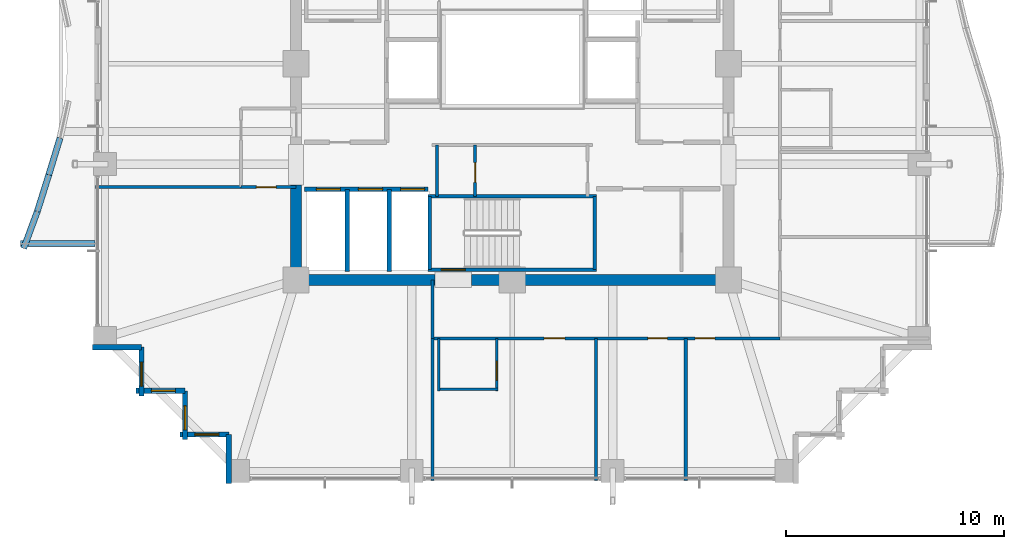
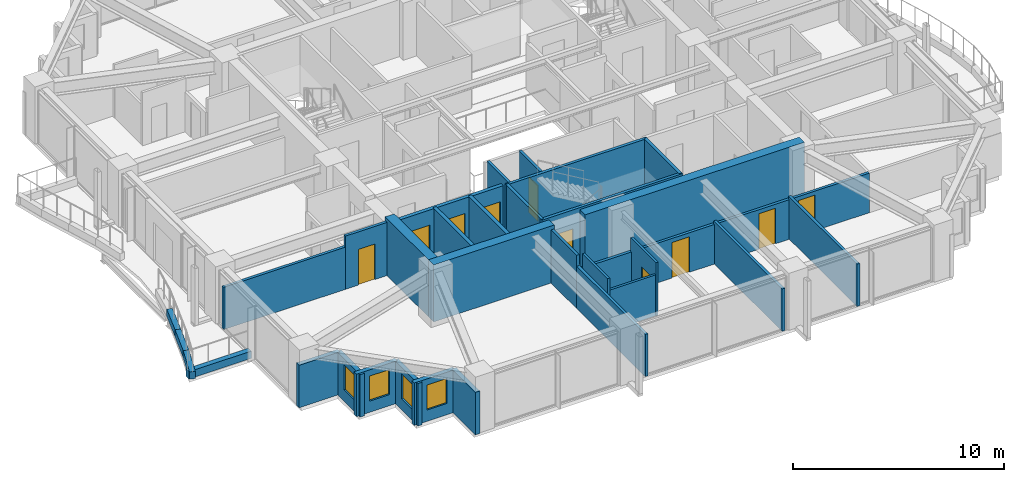
# One storey, part 29 of 35: 32 walls, 10 doors, 4 windows, 14 openings.
"""IFC4 building model written with IfcOpenShell, lengths in metres."""

from ifc_helpers import new_model, si_unit, direction, frame, frame_2d, origin, place, context, subcontext, project, spatial, rectangle, extrude, material, layer, layer_set, type_object, element, fill, save


model = new_model("IFC4")

# Units and contexts
model_context = context("Model", 3, precision=1e-05, world=origin(), true_north=direction((0.0, 1.0)))
body_context = subcontext(model_context, "Body", "Model", "MODEL_VIEW")
ifc_project = project(units=[si_unit("LENGTHUNIT", "METRE"), si_unit("AREAUNIT", "SQUARE_METRE"), si_unit("VOLUMEUNIT", "CUBIC_METRE"), si_unit("PLANEANGLEUNIT", "RADIAN"), si_unit("MASSUNIT", "GRAM", prefix="KILO")], contexts=[model_context])

# Site, building, storey
site_placement = place(None, origin())
site = spatial("IfcSite", under=ifc_project, at=site_placement, CompositionType="ELEMENT")
building_placement = place(site_placement, origin())
building = spatial("IfcBuilding", under=site, at=building_placement, Name="Kolvaren Belvedere", CompositionType="ELEMENT")
storey_placement = place(building_placement, frame((0.0, 0.0, 115.10009765625)))
storey = spatial("IfcBuildingStorey", under=building, at=storey_placement, Name="L33", CompositionType="ELEMENT", Elevation=115.10009765625)

# Walls
ifc_material_1 = material(Name="Concrete C50/60", Category="concrete")
ifc_layer_1 = layer(ifc_material_1, 0.5)
ifc_layer_set_1 = layer_set([ifc_layer_1], Name="Concrete C50/60")
wall_type_1 = type_object("IfcWallType", Name="CW-CORE-500", PredefinedType="SHEAR", material=ifc_layer_set_1)
wall_1_placement = place(storey_placement, frame((10.14990234375, -9.89990234375, 0.0), z_axis=(0.0, 0.0, 1.0), x_axis=(-1.0, 0.0, 0.0)))
element("IfcWall", 1, at=wall_1_placement, inside=storey, type_object=wall_type_1, Name="L33 South Core Shear Wall 1", PredefinedType="SHEAR", context=body_context, shape_type="SweptSolid", body=[
    extrude(rectangle(XDim=12.010009765625, YDim=0.5, at=frame_2d((6.0048828125, 0.0))), origin(), (0.0, 0.0, 1.0), 3.2998046875),
])
wall_2_placement = place(storey_placement, frame((-3.5400390625, -9.89990234375, 0.0), z_axis=(0.0, 0.0, 1.0), x_axis=(-1.0, 0.0, 0.0)))
element("IfcWall", 2, at=wall_2_placement, inside=storey, type_object=wall_type_1, Name="L33 South Core Shear Wall 2", PredefinedType="SHEAR", context=body_context, shape_type="SweptSolid", body=[
    extrude(rectangle(XDim=6.60986328125, YDim=0.5, at=frame_2d((3.304931640625, 0.0))), origin(), (0.0, 0.0, 1.0), 3.2998046875),
])
wall_3_placement = place(storey_placement, frame((-9.89990234375, -9.64990234375, 0.0), z_axis=(0.0, 0.0, 1.0), x_axis=(0.0, 1.0, 0.0)))
element("IfcWall", 3, at=wall_3_placement, inside=storey, type_object=wall_type_1, Name="L33 West Core Shear Wall 1", PredefinedType="SHEAR", context=body_context, shape_type="SweptSolid", body=[
    extrude(rectangle(XDim=4.099853515625, YDim=0.5, at=frame_2d((2.0498046875, 0.0))), origin(), (0.0, 0.0, 1.0), 3.2998046875),
])

# Wall, opening, door
ifc_material_2 = material(Name="Concrete C50/60", Category="concrete")
ifc_layer_2 = layer(ifc_material_2, 0.159912109375)
ifc_layer_set_2 = layer_set([ifc_layer_2], Name="Concrete C50/60")
wall_type_2 = type_object("IfcWallType", Name="CW-STAIR-160", PredefinedType="SHEAR", material=ifc_layer_set_2)
wall_4_placement = place(storey_placement, frame((3.860107421875, -9.429931640625, 0.0), z_axis=(0.0, 0.0, 1.0), x_axis=(-1.0, 0.0, 0.0)))
wall_4 = element("IfcWall", 4, at=wall_4_placement, inside=storey, type_object=wall_type_2, Name="L33 Stair ST-3 South Shear Wall", PredefinedType="SHEAR", context=body_context, shape_type="SweptSolid", body=[
    extrude(rectangle(XDim=7.72021484375, YDim=0.159912109375, at=frame_2d((3.860107421875, 0.0))), origin(), (0.0, 0.0, 1.0), 3.2998046875),
])
opening_1_placement = place(wall_4_placement, frame((6.010009765625, 0.0, 0.0)))
opening_1 = element("IfcOpeningElement", 5, at=opening_1_placement, cuts=wall_4, Name="Opening D-FD90", PredefinedType="OPENING", context=body_context, shape_type="SweptSolid", body=[
    extrude(rectangle(XDim=1.10009765625, YDim=2.199951171875, at=frame_2d((0.550048828125, 1.10009765625))), frame((0.0, 0.08984375, 0.0), z_axis=(0.0, -1.0, 0.0), x_axis=(1.0, 0.0, 0.0)), (0.0, 0.0, 1.0), 0.179931640625),
])
ifc_material_3 = material(Name="Painted hollow stainless steel", Category="steel")
door_type_1 = type_object("IfcDoorType", Name="DR-FD90-1100", OperationType="NOTDEFINED", PredefinedType="DOOR", material=ifc_material_3)
door_1_placement = place(opening_1_placement, origin())
door_1 = element("IfcDoor", 6, at=door_1_placement, inside=storey, type_object=door_type_1, Name="L33 Stair ST-3 Exit Door", OperationType="SINGLE_SWING_RIGHT", OverallHeight=2.199951171875, OverallWidth=1.10009765625, PredefinedType="DOOR", context=body_context, shape_type="SweptSolid", body=[
    extrude(rectangle(XDim=1.10009765625, YDim=2.199951171875, at=frame_2d((0.550048828125, 1.10009765625))), frame((0.0, 0.02490234375, 0.0), z_axis=(0.0, -1.0, 0.0), x_axis=(1.0, 0.0, 0.0)), (0.0, 0.0, 1.0), 0.050048828125),
])
fill(opening_1, door_1)

# Walls
wall_5_placement = place(storey_placement, frame((-3.860107421875, -6.080078125, 0.0), z_axis=(0.0, 0.0, 1.0), x_axis=(1.0, 0.0, 0.0)))
element("IfcWall", 7, at=wall_5_placement, inside=storey, type_object=wall_type_2, Name="L33 Stair ST-3 North Shear Wall", PredefinedType="SHEAR", context=body_context, shape_type="SweptSolid", body=[
    extrude(rectangle(XDim=7.72021484375, YDim=0.159912109375, at=frame_2d((3.860107421875, 0.0))), origin(), (0.0, 0.0, 1.0), 3.2998046875),
])
for number, where, z_axis, x_axis, name in (
    (8, (-3.780029296875, -9.429931640625, 0.0), (0.0, 0.0, 1.0), (0.0, 1.0, 0.0), "L33 Stair ST-3 West Shear Wall"),
    (9, (3.780029296875, -9.429931640625, 0.0), (0.0, 0.0, 1.0), (0.0, 1.0, 0.0), "L33 Stair ST-3 East Shear Wall"),
):
    element("IfcWall", number, at=place(storey_placement, frame(where, z_axis=z_axis, x_axis=x_axis)), inside=storey, type_object=wall_type_2, Name=name, PredefinedType="SHEAR", context=body_context, shape_type="SweptSolid", body=[
        extrude(rectangle(XDim=3.349853515625, YDim=0.159912109375, at=frame_2d((1.6748046875, 0.0))), origin(), (0.0, 0.0, 1.0), 3.2998046875),
    ])

# Wall, openings, doors
ifc_material_4 = material(Name="Gypsum fire-rated partition assembly", Category="gypsum")
ifc_layer_3 = layer(ifc_material_4, 0.14990234375)
ifc_layer_set_3 = layer_set([ifc_layer_3], Name="Gypsum fire-rated partition assembly")
wall_type_3 = type_object("IfcWallType", Name="WL-CORR-150", PredefinedType="PARTITIONING", material=ifc_layer_set_3)
wall_6_placement = place(storey_placement, frame((-3.64990234375, -12.580078125, 0.0), z_axis=(0.0, 0.0, 1.0), x_axis=(1.0, 0.0, 0.0)))
wall_6 = element("IfcWall", 10, at=wall_6_placement, inside=storey, type_object=wall_type_3, Name="L33 South-East Corridor Wall", PredefinedType="PARTITIONING", context=body_context, shape_type="SweptSolid", body=[
    extrude(rectangle(XDim=15.909912109375, YDim=0.14990234375, at=frame_2d((7.955078125, 0.0))), origin(), (0.0, 0.0, 1.0), 2.2919921875),
])
opening_2_placement = place(wall_6_placement, frame((5.10888671875, 0.0, 0.0)))
opening_2 = element("IfcOpeningElement", 11, at=opening_2_placement, cuts=wall_6, Name="Opening D-FD60", PredefinedType="OPENING", context=body_context, shape_type="SweptSolid", body=[
    extrude(rectangle(XDim=0.949951171875, YDim=2.06005859375, at=frame_2d((0.47509765625, 1.030029296875))), frame((0.0, 0.0849609375, 0.0), z_axis=(0.0, -1.0, 0.0), x_axis=(1.0, 0.0, 0.0)), (0.0, 0.0, 1.0), 0.169921875),
])
opening_3_placement = place(wall_6_placement, frame((9.8583984375, 0.0, 0.0)))
opening_3 = element("IfcOpeningElement", 12, at=opening_3_placement, cuts=wall_6, Name="Opening D-INT90", PredefinedType="OPENING", context=body_context, shape_type="SweptSolid", body=[
    extrude(rectangle(XDim=0.89990234375, YDim=2.06005859375, at=frame_2d((0.449951171875, 1.030029296875))), frame((0.0, 0.0849609375, 0.0), z_axis=(0.0, -1.0, 0.0), x_axis=(1.0, 0.0, 0.0)), (0.0, 0.0, 1.0), 0.169921875),
])
opening_4_placement = place(wall_6_placement, frame((12.027587890625, 0.0, 0.0)))
opening_4 = element("IfcOpeningElement", 13, at=opening_4_placement, cuts=wall_6, Name="Opening D-INT90", PredefinedType="OPENING", context=body_context, shape_type="SweptSolid", body=[
    extrude(rectangle(XDim=0.89990234375, YDim=2.06005859375, at=frame_2d((0.449951171875, 1.030029296875))), frame((0.0, 0.0849609375, 0.0), z_axis=(0.0, -1.0, 0.0), x_axis=(1.0, 0.0, 0.0)), (0.0, 0.0, 1.0), 0.169921875),
])
ifc_material_5 = material(Name="Acoustic white-oak fire door leaf", Category="timber")
door_type_2 = type_object("IfcDoorType", Name="DR-FD60-950", OperationType="NOTDEFINED", PredefinedType="DOOR", material=ifc_material_5)
door_2_placement = place(opening_2_placement, origin())
door_2 = element("IfcDoor", 14, at=door_2_placement, inside=storey, type_object=door_type_2, Name="L33 King Guest Room 3312 Entry Door", OperationType="SINGLE_SWING_LEFT", OverallHeight=2.06005859375, OverallWidth=0.949951171875, PredefinedType="DOOR", context=body_context, shape_type="SweptSolid", body=[
    extrude(rectangle(XDim=0.949951171875, YDim=2.06005859375, at=frame_2d((0.47509765625, 1.030029296875))), frame((0.0, 0.02490234375, 0.0), z_axis=(0.0, -1.0, 0.0), x_axis=(1.0, 0.0, 0.0)), (0.0, 0.0, 1.0), 0.050048828125),
])
fill(opening_2, door_2)
ifc_material_6 = material(Name="Stained Pacific white oak", Category="timber")
door_type_3 = type_object("IfcDoorType", Name="DR-INT-900", OperationType="NOTDEFINED", PredefinedType="DOOR", material=ifc_material_6)
door_3_placement = place(opening_3_placement, origin())
door_3 = element("IfcDoor", 15, at=door_3_placement, inside=storey, type_object=door_type_3, Name="L33 Lounge 3313 Door", OperationType="SINGLE_SWING_RIGHT", OverallHeight=2.06005859375, OverallWidth=0.89990234375, PredefinedType="DOOR", context=body_context, shape_type="SweptSolid", body=[
    extrude(rectangle(XDim=0.89990234375, YDim=2.06005859375, at=frame_2d((0.449951171875, 1.030029296875))), frame((0.0, 0.02490234375, 0.0), z_axis=(0.0, -1.0, 0.0), x_axis=(1.0, 0.0, 0.0)), (0.0, 0.0, 1.0), 0.050048828125),
])
fill(opening_3, door_3)
door_4_placement = place(opening_4_placement, origin())
door_4 = element("IfcDoor", 16, at=door_4_placement, inside=storey, type_object=door_type_3, Name="L33 Lounge 3314 Door", OperationType="SINGLE_SWING_LEFT", OverallHeight=2.06005859375, OverallWidth=0.89990234375, PredefinedType="DOOR", context=body_context, shape_type="SweptSolid", body=[
    extrude(rectangle(XDim=0.89990234375, YDim=2.06005859375, at=frame_2d((0.449951171875, 1.030029296875))), frame((0.0, 0.02490234375, 0.0), z_axis=(0.0, -1.0, 0.0), x_axis=(1.0, 0.0, 0.0)), (0.0, 0.0, 1.0), 0.050048828125),
])
fill(opening_4, door_4)

# Wall
wall_7_placement = place(storey_placement, frame((-3.64990234375, -12.580078125, 0.0), z_axis=(0.0, 0.0, 1.0), x_axis=(0.0, 1.0, 0.0)))
element("IfcWall", 17, at=wall_7_placement, inside=storey, type_object=wall_type_3, Name="L33 South Spur West Closure Wall", PredefinedType="PARTITIONING", context=body_context, shape_type="SweptSolid", body=[
    extrude(rectangle(XDim=2.68017578125, YDim=0.14990234375, at=frame_2d((1.340087890625, 0.0))), origin(), (0.0, 0.0, 1.0), 3.079833984375),
])

# Wall, opening, door
wall_8_placement = place(storey_placement, frame((-12.419921875, -5.64990234375, 0.0), z_axis=(0.0, 0.0, 1.0), x_axis=(1.0, 0.0, 0.0)))
wall_8 = element("IfcWall", 18, at=wall_8_placement, inside=storey, type_object=wall_type_3, Name="L33 West Pocket South Closure Wall", PredefinedType="PARTITIONING", context=body_context, shape_type="SweptSolid", body=[
    extrude(rectangle(XDim=2.52001953125, YDim=0.14990234375, at=frame_2d((1.260009765625, 0.0))), origin(), (0.0, 0.0, 1.0), 3.079833984375),
])
opening_5_placement = place(wall_8_placement, frame((0.705078125, 0.0, 0.0)))
opening_5 = element("IfcOpeningElement", 19, at=opening_5_placement, cuts=wall_8, Name="Opening D-INT90", PredefinedType="OPENING", context=body_context, shape_type="SweptSolid", body=[
    extrude(rectangle(XDim=0.89990234375, YDim=2.06005859375, at=frame_2d((0.449951171875, 1.030029296875))), frame((0.0, 0.0849609375, 0.0), z_axis=(0.0, -1.0, 0.0), x_axis=(1.0, 0.0, 0.0)), (0.0, 0.0, 1.0), 0.169921875),
])
door_5_placement = place(opening_5_placement, origin())
door_5 = element("IfcDoor", 20, at=door_5_placement, inside=storey, type_object=door_type_3, Name="L33 Lounge 3311 Door", OperationType="SINGLE_SWING_LEFT", OverallHeight=2.06005859375, OverallWidth=0.89990234375, PredefinedType="DOOR", context=body_context, shape_type="SweptSolid", body=[
    extrude(rectangle(XDim=0.89990234375, YDim=2.06005859375, at=frame_2d((0.449951171875, 1.030029296875))), frame((0.0, 0.02490234375, 0.0), z_axis=(0.0, -1.0, 0.0), x_axis=(1.0, 0.0, 0.0)), (0.0, 0.0, 1.0), 0.050048828125),
])
fill(opening_5, door_5)

# Wall
ifc_material_7 = material(Name="Insulated pale-metal facade wall assembly", Category="aluminium")
ifc_layer_4 = layer(ifc_material_7, 0.239990234375)
ifc_layer_set_4 = layer_set([ifc_layer_4], Name="Insulated pale-metal facade wall assembly")
wall_type_4 = type_object("IfcWallType", Name="WL-EXT-240", PredefinedType="STANDARD", material=ifc_layer_set_4)
wall_9_placement = place(storey_placement, frame((-16.97998046875, -12.97998046875, 0.0), z_axis=(0.0, 0.0, 1.0), x_axis=(-1.0, 0.0, 0.0)))
element("IfcWall", 21, at=wall_9_placement, inside=storey, type_object=wall_type_4, Name="L33 Serrated Corner Facade Wall 23", PredefinedType="STANDARD", context=body_context, shape_type="SweptSolid", body=[
    extrude(rectangle(XDim=2.239990234375, YDim=0.239990234375, at=frame_2d((1.1201171875, 0.0))), origin(), (0.0, 0.0, 1.0), 2.458984375),
])

# Wall, opening, window
wall_10_placement = place(storey_placement, frame((-16.97998046875, -15.219970703125, 0.0), z_axis=(0.0, 0.0, 1.0), x_axis=(0.0, 1.0, 0.0)))
wall_10 = element("IfcWall", 22, at=wall_10_placement, inside=storey, type_object=wall_type_4, Name="L33 Serrated Corner Facade Wall 24", PredefinedType="STANDARD", context=body_context, shape_type="SweptSolid", body=[
    extrude(rectangle(XDim=2.239990234375, YDim=0.239990234375, at=frame_2d((1.1201171875, 0.0))), origin(), (0.0, 0.0, 1.0), 2.458984375),
])
opening_6_placement = place(wall_10_placement, frame((0.449951171875, 0.0, 0.64990234375)))
opening_6 = element("IfcOpeningElement", 23, at=opening_6_placement, cuts=wall_10, Name="Opening W-1100", PredefinedType="OPENING", context=body_context, shape_type="SweptSolid", body=[
    extrude(rectangle(XDim=1.10009765625, YDim=1.449951171875, at=frame_2d((0.550048828125, 0.72509765625))), frame((0.0, 0.1298828125, 0.0), z_axis=(0.0, -1.0, 0.0), x_axis=(1.0, 0.0, 0.0)), (0.0, 0.0, 1.0), 0.260009765625),
])
ifc_material_8 = material(Name="Low-iron triple insulated glass", Category="glass")
window_type = type_object("IfcWindowType", Name="WN-CORN-1100", PartitioningType="SINGLE_PANEL", PredefinedType="WINDOW", material=ifc_material_8)
window_1_placement = place(opening_6_placement, origin())
window_1 = element("IfcWindow", 24, at=window_1_placement, inside=storey, type_object=window_type, Name="L33 Serrated Corner Vision Window 24", OverallHeight=1.449951171875, OverallWidth=1.10009765625, PartitioningType="SINGLE_PANEL", PredefinedType="WINDOW", context=body_context, shape_type="SweptSolid", body=[
    extrude(rectangle(XDim=1.10009765625, YDim=1.449951171875, at=frame_2d((0.550048828125, 0.72509765625))), frame((0.0, 0.030029296875, 0.0), z_axis=(0.0, -1.0, 0.0), x_axis=(1.0, 0.0, 0.0)), (0.0, 0.0, 1.0), 0.06005859375),
])
fill(opening_6, window_1)

wall_11_placement = place(storey_placement, frame((-14.97998046875, -14.97998046875, 0.0), z_axis=(0.0, 0.0, 1.0), x_axis=(-1.0, 0.0, 0.0)))
wall_11 = element("IfcWall", 25, at=wall_11_placement, inside=storey, type_object=wall_type_4, Name="L33 Serrated Corner Facade Wall 25", PredefinedType="STANDARD", context=body_context, shape_type="SweptSolid", body=[
    extrude(rectangle(XDim=2.239990234375, YDim=0.239990234375, at=frame_2d((1.1201171875, 0.0))), origin(), (0.0, 0.0, 1.0), 2.458984375),
])
opening_7_placement = place(wall_11_placement, frame((0.449951171875, 0.0, 0.64990234375)))
opening_7 = element("IfcOpeningElement", 26, at=opening_7_placement, cuts=wall_11, Name="Opening W-1100", PredefinedType="OPENING", context=body_context, shape_type="SweptSolid", body=[
    extrude(rectangle(XDim=1.10009765625, YDim=1.449951171875, at=frame_2d((0.550048828125, 0.72509765625))), frame((0.0, 0.1298828125, 0.0), z_axis=(0.0, -1.0, 0.0), x_axis=(1.0, 0.0, 0.0)), (0.0, 0.0, 1.0), 0.260009765625),
])
window_2_placement = place(opening_7_placement, origin())
window_2 = element("IfcWindow", 27, at=window_2_placement, inside=storey, type_object=window_type, Name="L33 Serrated Corner Vision Window 25", OverallHeight=1.449951171875, OverallWidth=1.10009765625, PartitioningType="SINGLE_PANEL", PredefinedType="WINDOW", context=body_context, shape_type="SweptSolid", body=[
    extrude(rectangle(XDim=1.10009765625, YDim=1.449951171875, at=frame_2d((0.550048828125, 0.72509765625))), frame((0.0, 0.030029296875, 0.0), z_axis=(0.0, -1.0, 0.0), x_axis=(1.0, 0.0, 0.0)), (0.0, 0.0, 1.0), 0.06005859375),
])
fill(opening_7, window_2)

wall_12_placement = place(storey_placement, frame((-14.97998046875, -17.219970703125, 0.0), z_axis=(0.0, 0.0, 1.0), x_axis=(0.0, 1.0, 0.0)))
wall_12 = element("IfcWall", 28, at=wall_12_placement, inside=storey, type_object=wall_type_4, Name="L33 Serrated Corner Facade Wall 26", PredefinedType="STANDARD", context=body_context, shape_type="SweptSolid", body=[
    extrude(rectangle(XDim=2.239990234375, YDim=0.239990234375, at=frame_2d((1.1201171875, 0.0))), origin(), (0.0, 0.0, 1.0), 2.458984375),
])
opening_8_placement = place(wall_12_placement, frame((0.449951171875, 0.0, 0.64990234375)))
opening_8 = element("IfcOpeningElement", 29, at=opening_8_placement, cuts=wall_12, Name="Opening W-1100", PredefinedType="OPENING", context=body_context, shape_type="SweptSolid", body=[
    extrude(rectangle(XDim=1.10009765625, YDim=1.449951171875, at=frame_2d((0.550048828125, 0.72509765625))), frame((0.0, 0.1298828125, 0.0), z_axis=(0.0, -1.0, 0.0), x_axis=(1.0, 0.0, 0.0)), (0.0, 0.0, 1.0), 0.260009765625),
])
window_3_placement = place(opening_8_placement, origin())
window_3 = element("IfcWindow", 30, at=window_3_placement, inside=storey, type_object=window_type, Name="L33 Serrated Corner Vision Window 26", OverallHeight=1.449951171875, OverallWidth=1.10009765625, PartitioningType="SINGLE_PANEL", PredefinedType="WINDOW", context=body_context, shape_type="SweptSolid", body=[
    extrude(rectangle(XDim=1.10009765625, YDim=1.449951171875, at=frame_2d((0.550048828125, 0.72509765625))), frame((0.0, 0.030029296875, 0.0), z_axis=(0.0, -1.0, 0.0), x_axis=(1.0, 0.0, 0.0)), (0.0, 0.0, 1.0), 0.06005859375),
])
fill(opening_8, window_3)

wall_13_placement = place(storey_placement, frame((-12.97998046875, -16.97998046875, 0.0), z_axis=(0.0, 0.0, 1.0), x_axis=(-1.0, 0.0, 0.0)))
wall_13 = element("IfcWall", 31, at=wall_13_placement, inside=storey, type_object=wall_type_4, Name="L33 Serrated Corner Facade Wall 27", PredefinedType="STANDARD", context=body_context, shape_type="SweptSolid", body=[
    extrude(rectangle(XDim=2.239990234375, YDim=0.239990234375, at=frame_2d((1.1201171875, 0.0))), origin(), (0.0, 0.0, 1.0), 2.458984375),
])
opening_9_placement = place(wall_13_placement, frame((0.449951171875, 0.0, 0.64990234375)))
opening_9 = element("IfcOpeningElement", 32, at=opening_9_placement, cuts=wall_13, Name="Opening W-1100", PredefinedType="OPENING", context=body_context, shape_type="SweptSolid", body=[
    extrude(rectangle(XDim=1.10009765625, YDim=1.449951171875, at=frame_2d((0.550048828125, 0.72509765625))), frame((0.0, 0.1298828125, 0.0), z_axis=(0.0, -1.0, 0.0), x_axis=(1.0, 0.0, 0.0)), (0.0, 0.0, 1.0), 0.260009765625),
])
window_4_placement = place(opening_9_placement, origin())
window_4 = element("IfcWindow", 33, at=window_4_placement, inside=storey, type_object=window_type, Name="L33 Serrated Corner Vision Window 27", OverallHeight=1.449951171875, OverallWidth=1.10009765625, PartitioningType="SINGLE_PANEL", PredefinedType="WINDOW", context=body_context, shape_type="SweptSolid", body=[
    extrude(rectangle(XDim=1.10009765625, YDim=1.449951171875, at=frame_2d((0.550048828125, 0.72509765625))), frame((0.0, 0.030029296875, 0.0), z_axis=(0.0, -1.0, 0.0), x_axis=(1.0, 0.0, 0.0)), (0.0, 0.0, 1.0), 0.06005859375),
])
fill(opening_9, window_4)

# Walls
wall_14_placement = place(storey_placement, frame((-12.97998046875, -19.219970703125, 0.0), z_axis=(0.0, 0.0, 1.0), x_axis=(0.0, 1.0, 0.0)))
element("IfcWall", 34, at=wall_14_placement, inside=storey, type_object=wall_type_4, Name="L33 Serrated Corner Facade Wall 28", PredefinedType="STANDARD", context=body_context, shape_type="SweptSolid", body=[
    extrude(rectangle(XDim=2.239990234375, YDim=0.239990234375, at=frame_2d((1.1201171875, 0.0))), origin(), (0.0, 0.0, 1.0), 2.458984375),
])
ifc_material_9 = material(Name="Gypsum acoustic partition assembly", Category="gypsum")
ifc_layer_5 = layer(ifc_material_9, 0.14990234375)
ifc_layer_set_5 = layer_set([ifc_layer_5], Name="Gypsum acoustic partition assembly")
wall_type_5 = type_object("IfcWallType", Name="WL-PART-150", PredefinedType="PARTITIONING", material=ifc_layer_set_5)
wall_15_placement = place(storey_placement, frame((-3.449951171875, -6.080078125, 0.0), z_axis=(0.0, 0.0, 1.0), x_axis=(0.0, 1.0, 0.0)))
element("IfcWall", 35, at=wall_15_placement, inside=storey, type_object=wall_type_5, Name="L33 South Core Service West Wall", PredefinedType="PARTITIONING", context=body_context, shape_type="SweptSolid", body=[
    extrude(rectangle(XDim=2.360107421875, YDim=0.14990234375, at=frame_2d((1.18017578125, 0.0))), origin(), (0.0, 0.0, 1.0), 3.079833984375),
])

# Wall, opening, door
wall_16_placement = place(storey_placement, frame((-1.699951171875, -6.080078125, 0.0), z_axis=(0.0, 0.0, 1.0), x_axis=(0.0, 1.0, 0.0)))
wall_16 = element("IfcWall", 36, at=wall_16_placement, inside=storey, type_object=wall_type_5, Name="L33 Core Service Divider", PredefinedType="PARTITIONING", context=body_context, shape_type="SweptSolid", body=[
    extrude(rectangle(XDim=2.360107421875, YDim=0.14990234375, at=frame_2d((1.18017578125, 0.0))), origin(), (0.0, 0.0, 1.0), 3.079833984375),
])
opening_10_placement = place(wall_16_placement, frame((0.64990234375, 0.0, 0.0)))
opening_10 = element("IfcOpeningElement", 37, at=opening_10_placement, cuts=wall_16, Name="Opening D-INT90", PredefinedType="OPENING", context=body_context, shape_type="SweptSolid", body=[
    extrude(rectangle(XDim=0.89990234375, YDim=2.06005859375, at=frame_2d((0.449951171875, 1.030029296875))), frame((0.0, 0.0849609375, 0.0), z_axis=(0.0, -1.0, 0.0), x_axis=(1.0, 0.0, 0.0)), (0.0, 0.0, 1.0), 0.169921875),
])
door_6_placement = place(opening_10_placement, origin())
door_6 = element("IfcDoor", 38, at=door_6_placement, inside=storey, type_object=door_type_3, Name="L33 Telecom Inner Door", OperationType="SINGLE_SWING_RIGHT", OverallHeight=2.06005859375, OverallWidth=0.89990234375, PredefinedType="DOOR", context=body_context, shape_type="SweptSolid", body=[
    extrude(rectangle(XDim=0.89990234375, YDim=2.06005859375, at=frame_2d((0.449951171875, 1.030029296875))), frame((0.0, 0.02490234375, 0.0), z_axis=(0.0, -1.0, 0.0), x_axis=(1.0, 0.0, 0.0)), (0.0, 0.0, 1.0), 0.050048828125),
])
fill(opening_10, door_6)

# Walls
wall_17_placement = place(storey_placement, frame((-19.080078125, -5.64990234375, 0.0), z_axis=(0.0, 0.0, 1.0), x_axis=(1.0, 0.0, 0.0)))
element("IfcWall", 39, at=wall_17_placement, inside=storey, type_object=wall_type_5, Name="L33 West Mid Suite South Wall", PredefinedType="PARTITIONING", context=body_context, shape_type="SweptSolid", body=[
    extrude(rectangle(XDim=6.66015625, YDim=0.14990234375, at=frame_2d((3.330078125, 0.0))), origin(), (0.0, 0.0, 1.0), 2.448974609375),
])
for number, where, z_axis, x_axis, name in (
    (40, (-3.64990234375, -19.080078125, 0.0), (0.0, 0.0, 1.0), (0.0, 1.0, 0.0), "L33 South Mid-West Wall"),
    (41, (3.840087890625, -19.080078125, 0.0), (0.0, 0.0, 1.0), (0.0, 1.0, 0.0), "L33 South-East Suite Divider 1"),
    (42, (7.93994140625, -19.080078125, 0.0), (0.0, 0.0, 1.0), (0.0, 1.0, 0.0), "L33 South-East Suite Divider 2"),
):
    element("IfcWall", number, at=place(storey_placement, frame(where, z_axis=z_axis, x_axis=x_axis)), inside=storey, type_object=wall_type_5, Name=name, PredefinedType="PARTITIONING", context=body_context, shape_type="SweptSolid", body=[
        extrude(rectangle(XDim=6.5, YDim=0.14990234375, at=frame_2d((3.25, 0.0))), origin(), (0.0, 0.0, 1.0), 2.448974609375),
    ])
ifc_material_10 = material(Name="Precast concrete C40/50", Category="concrete")
ifc_layer_6 = layer(ifc_material_10, 0.300048828125)
ifc_layer_set_6 = layer_set([ifc_layer_6], Name="Precast concrete C40/50")
wall_type_6 = type_object("IfcWallType", Name="WL-PLANTER-300", PredefinedType="PARAPET", material=ifc_layer_set_6)
wall_18_placement = place(storey_placement, frame((-20.708251953125, -3.406494140625, -0.0400390625), z_axis=(0.0, 0.0, 1.0), x_axis=(-0.290840734999, -0.956771481005, 0.0)))
element("IfcWall", 43, at=wall_18_placement, inside=storey, type_object=wall_type_6, Name="L33 Precast Structural Planter Wall BAL-W-8", PredefinedType="PARAPET", context=body_context, shape_type="SweptSolid", body=[
    extrude(rectangle(XDim=1.756103515625, YDim=0.280029296875, at=frame_2d((0.8779296875, 0.0))), origin(), (0.0, 0.0, 1.0), 0.419921875),
])
wall_19_placement = place(storey_placement, frame((-21.219482421875, -5.087890625, -0.0400390625), z_axis=(0.0, 0.0, 1.0), x_axis=(-0.299750886874, -0.95401750813, 0.0)))
element("IfcWall", 44, at=wall_19_placement, inside=storey, type_object=wall_type_6, Name="L33 Precast Structural Planter Wall BAL-W-9", PredefinedType="PARAPET", context=body_context, shape_type="SweptSolid", body=[
    extrude(rectangle(XDim=1.760986328125, YDim=0.280029296875, at=frame_2d((0.88037109375, 0.0))), origin(), (0.0, 0.0, 1.0), 0.419921875),
])
wall_20_placement = place(storey_placement, frame((-21.749755859375, -6.775390625, -0.0400390625), z_axis=(0.0, 0.0, 1.0), x_axis=(-0.346292864983, -0.938126458246, 0.0)))
element("IfcWall", 45, at=wall_20_placement, inside=storey, type_object=wall_type_6, Name="L33 Precast Structural Planter Wall BAL-W-10", PredefinedType="PARAPET", context=body_context, shape_type="SweptSolid", body=[
    extrude(rectangle(XDim=1.790771484375, YDim=0.280029296875, at=frame_2d((0.8955078125, 0.0))), origin(), (0.0, 0.0, 1.0), 0.419921875),
])
wall_21_placement = place(storey_placement, frame((-22.52001953125, -8.239990234375, -0.0400390625), z_axis=(0.0, 0.0, 1.0), x_axis=(1.0, 0.0, 0.0)))
element("IfcWall", 46, at=wall_21_placement, inside=storey, type_object=wall_type_6, Name="L33 Precast Structural Planter Wall BAL-W-11", PredefinedType="PARAPET", context=body_context, shape_type="SweptSolid", body=[
    extrude(rectangle(XDim=3.419921875, YDim=0.280029296875, at=frame_2d((1.7099609375, 0.0))), origin(), (0.0, 0.0, 1.0), 0.419921875),
])

# Wall, openings, doors
ifc_material_11 = material(Name="Concrete C50/60", Category="concrete")
ifc_layer_7 = layer(ifc_material_11, 0.199951171875)
ifc_layer_set_7 = layer_set([ifc_layer_7], Name="Concrete C50/60")
wall_type_7 = type_object("IfcWallType", Name="WL-SHAFT-200", PredefinedType="SOLIDWALL", material=ifc_layer_set_7)
wall_22_placement = place(storey_placement, frame((-9.52001953125, -5.75, 0.0), z_axis=(0.0, 0.0, 1.0), x_axis=(1.0, 0.0, 0.0)))
wall_22 = element("IfcWall", 47, at=wall_22_placement, inside=storey, type_object=wall_type_7, Name="L33 Mid-Rise Lift Bank Front Wall", PredefinedType="SOLIDWALL", context=body_context, shape_type="SweptSolid", body=[
    extrude(rectangle(XDim=5.659912109375, YDim=0.199951171875, at=frame_2d((2.830078125, 0.0))), origin(), (0.0, 0.0, 1.0), 3.079833984375),
])
opening_11_placement = place(wall_22_placement, frame((0.550048828125, 0.0, 0.0)))
opening_11 = element("IfcOpeningElement", 48, at=opening_11_placement, cuts=wall_22, Name="Opening LD-11", PredefinedType="OPENING", context=body_context, shape_type="SweptSolid", body=[
    extrude(rectangle(XDim=1.10009765625, YDim=2.199951171875, at=frame_2d((0.550048828125, 1.10009765625))), frame((0.0, 0.10986328125, 0.0), z_axis=(0.0, -1.0, 0.0), x_axis=(1.0, 0.0, 0.0)), (0.0, 0.0, 1.0), 0.219970703125),
])
opening_12_placement = place(wall_22_placement, frame((2.47998046875, 0.0, 0.0)))
opening_12 = element("IfcOpeningElement", 49, at=opening_12_placement, cuts=wall_22, Name="Opening LD-11", PredefinedType="OPENING", context=body_context, shape_type="SweptSolid", body=[
    extrude(rectangle(XDim=1.10009765625, YDim=2.199951171875, at=frame_2d((0.550048828125, 1.10009765625))), frame((0.0, 0.10986328125, 0.0), z_axis=(0.0, -1.0, 0.0), x_axis=(1.0, 0.0, 0.0)), (0.0, 0.0, 1.0), 0.219970703125),
])
opening_13_placement = place(wall_22_placement, frame((4.409912109375, 0.0, 0.0)))
opening_13 = element("IfcOpeningElement", 50, at=opening_13_placement, cuts=wall_22, Name="Opening LD-11", PredefinedType="OPENING", context=body_context, shape_type="SweptSolid", body=[
    extrude(rectangle(XDim=1.10009765625, YDim=2.199951171875, at=frame_2d((0.550048828125, 1.10009765625))), frame((0.0, 0.10986328125, 0.0), z_axis=(0.0, -1.0, 0.0), x_axis=(1.0, 0.0, 0.0)), (0.0, 0.0, 1.0), 0.219970703125),
])
ifc_material_12 = material(Name="Brushed stainless steel", Category="steel")
door_type_4 = type_object("IfcDoorType", Name="DR-LIFT-1100", OperationType="DOUBLE_DOOR_SLIDING", PredefinedType="DOOR", material=ifc_material_12)
door_7_placement = place(opening_11_placement, origin())
door_7 = element("IfcDoor", 51, at=door_7_placement, inside=storey, type_object=door_type_4, Name="L33 Passenger Lift P4 Landing Door", OperationType="DOUBLE_DOOR_SLIDING", OverallHeight=2.199951171875, OverallWidth=1.10009765625, PredefinedType="DOOR", context=body_context, shape_type="SweptSolid", body=[
    extrude(rectangle(XDim=1.10009765625, YDim=2.199951171875, at=frame_2d((0.550048828125, 1.10009765625))), frame((0.0, 0.02490234375, 0.0), z_axis=(0.0, -1.0, 0.0), x_axis=(1.0, 0.0, 0.0)), (0.0, 0.0, 1.0), 0.050048828125),
])
fill(opening_11, door_7)
door_8_placement = place(opening_12_placement, origin())
door_8 = element("IfcDoor", 52, at=door_8_placement, inside=storey, type_object=door_type_4, Name="L33 Passenger Lift P5 Landing Door", OperationType="DOUBLE_DOOR_SLIDING", OverallHeight=2.199951171875, OverallWidth=1.10009765625, PredefinedType="DOOR", context=body_context, shape_type="SweptSolid", body=[
    extrude(rectangle(XDim=1.10009765625, YDim=2.199951171875, at=frame_2d((0.550048828125, 1.10009765625))), frame((0.0, 0.02490234375, 0.0), z_axis=(0.0, -1.0, 0.0), x_axis=(1.0, 0.0, 0.0)), (0.0, 0.0, 1.0), 0.050048828125),
])
fill(opening_12, door_8)
door_9_placement = place(opening_13_placement, origin())
door_9 = element("IfcDoor", 53, at=door_9_placement, inside=storey, type_object=door_type_4, Name="L33 Passenger Lift P6 Landing Door", OperationType="DOUBLE_DOOR_SLIDING", OverallHeight=2.199951171875, OverallWidth=1.10009765625, PredefinedType="DOOR", context=body_context, shape_type="SweptSolid", body=[
    extrude(rectangle(XDim=1.10009765625, YDim=2.199951171875, at=frame_2d((0.550048828125, 1.10009765625))), frame((0.0, 0.02490234375, 0.0), z_axis=(0.0, -1.0, 0.0), x_axis=(1.0, 0.0, 0.0)), (0.0, 0.0, 1.0), 0.050048828125),
])
fill(opening_13, door_9)

# Walls
for number, where, z_axis, x_axis, name in (
    (54, (-7.56005859375, -9.52001953125, 0.0), (0.0, 0.0, 1.0), (0.0, 1.0, 0.0), "L33 Mid-Rise Hoistway Divider 1"),
    (55, (-5.6298828125, -9.52001953125, 0.0), (0.0, 0.0, 1.0), (0.0, 1.0, 0.0), "L33 Mid-Rise Hoistway Divider 2"),
):
    element("IfcWall", number, at=place(storey_placement, frame(where, z_axis=z_axis, x_axis=x_axis)), inside=storey, type_object=wall_type_7, Name=name, PredefinedType="SOLIDWALL", context=body_context, shape_type="SweptSolid", body=[
        extrude(rectangle(XDim=3.77001953125, YDim=0.199951171875, at=frame_2d((1.885009765625, 0.0))), origin(), (0.0, 0.0, 1.0), 3.079833984375),
    ])

# Wall, opening, door
ifc_material_13 = material(Name="Moisture-resistant gypsum partition", Category="gypsum")
ifc_layer_8 = layer(ifc_material_13, 0.125)
ifc_layer_set_8 = layer_set([ifc_layer_8], Name="Moisture-resistant gypsum partition")
wall_type_8 = type_object("IfcWallType", Name="WL-WET-125", PredefinedType="PARTITIONING", material=ifc_layer_set_8)
wall_23_placement = place(storey_placement, frame((-0.714111328125, -14.985107421875, 0.0), z_axis=(0.0, 0.0, 1.0), x_axis=(0.0, 1.0, 0.0)))
wall_23 = element("IfcWall", 56, at=wall_23_placement, inside=storey, type_object=wall_type_8, Name="L33 Bathroom Partition PW-L33-BTH-12-E", PredefinedType="PARTITIONING", context=body_context, shape_type="SweptSolid", body=[
    extrude(rectangle(XDim=2.39013671875, YDim=0.125, at=frame_2d((1.195068359375, 0.0))), origin(), (0.0, 0.0, 1.0), 3.079833984375),
])
opening_14_placement = place(wall_23_placement, frame((0.5, 0.0, 0.0)))
opening_14 = element("IfcOpeningElement", 57, at=opening_14_placement, cuts=wall_23, Name="Opening D-BTH85", PredefinedType="OPENING", context=body_context, shape_type="SweptSolid", body=[
    extrude(rectangle(XDim=0.85009765625, YDim=2.030029296875, at=frame_2d((0.425048828125, 1.01513671875))), frame((0.0, 0.072509765625, 0.0), z_axis=(0.0, -1.0, 0.0), x_axis=(1.0, 0.0, 0.0)), (0.0, 0.0, 1.0), 0.14501953125),
])
ifc_material_14 = material(Name="Moisture-sealed Pacific white oak", Category="timber")
door_type_5 = type_object("IfcDoorType", Name="DR-BATH-850", OperationType="NOTDEFINED", PredefinedType="DOOR", material=ifc_material_14)
door_10_placement = place(opening_14_placement, origin())
door_10 = element("IfcDoor", 58, at=door_10_placement, inside=storey, type_object=door_type_5, Name="L33 En-Suite Bathroom 3312 Door", OperationType="SINGLE_SWING_RIGHT", OverallHeight=2.030029296875, OverallWidth=0.85009765625, PredefinedType="DOOR", context=body_context, shape_type="SweptSolid", body=[
    extrude(rectangle(XDim=0.85009765625, YDim=2.030029296875, at=frame_2d((0.425048828125, 1.01513671875))), frame((0.0, 0.02490234375, 0.0), z_axis=(0.0, -1.0, 0.0), x_axis=(1.0, 0.0, 0.0)), (0.0, 0.0, 1.0), 0.050048828125),
])
fill(opening_14, door_10)

# Walls
wall_24_placement = place(storey_placement, frame((-3.424072265625, -14.905029296875, 0.0), z_axis=(0.0, 0.0, 1.0), x_axis=(1.0, 0.0, 0.0)))
element("IfcWall", 59, at=wall_24_placement, inside=storey, type_object=wall_type_8, Name="L33 Bathroom Partition PW-L33-BTH-12-H", PredefinedType="PARTITIONING", context=body_context, shape_type="SweptSolid", body=[
    extrude(rectangle(XDim=2.77001953125, YDim=0.125, at=frame_2d((1.385009765625, 0.0))), origin(), (0.0, 0.0, 1.0), 2.368896484375),
])
wall_25_placement = place(storey_placement, frame((-3.364013671875, -14.985107421875, 0.0), z_axis=(0.0, 0.0, 1.0), x_axis=(0.0, 1.0, 0.0)))
element("IfcWall", 60, at=wall_25_placement, inside=storey, type_object=wall_type_8, Name="L33 Bathroom Partition PW-L33-BTH-12-W", PredefinedType="PARTITIONING", context=body_context, shape_type="SweptSolid", body=[
    extrude(rectangle(XDim=2.39013671875, YDim=0.125, at=frame_2d((1.195068359375, 0.0))), origin(), (0.0, 0.0, 1.0), 3.079833984375),
])

save(model, "model.ifc")
